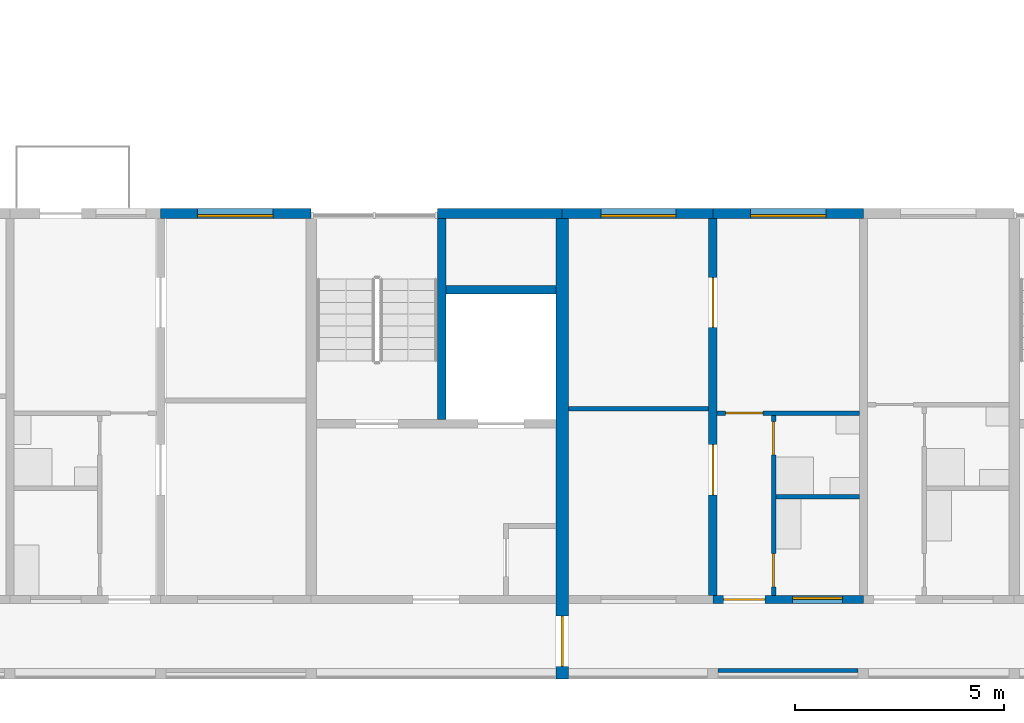
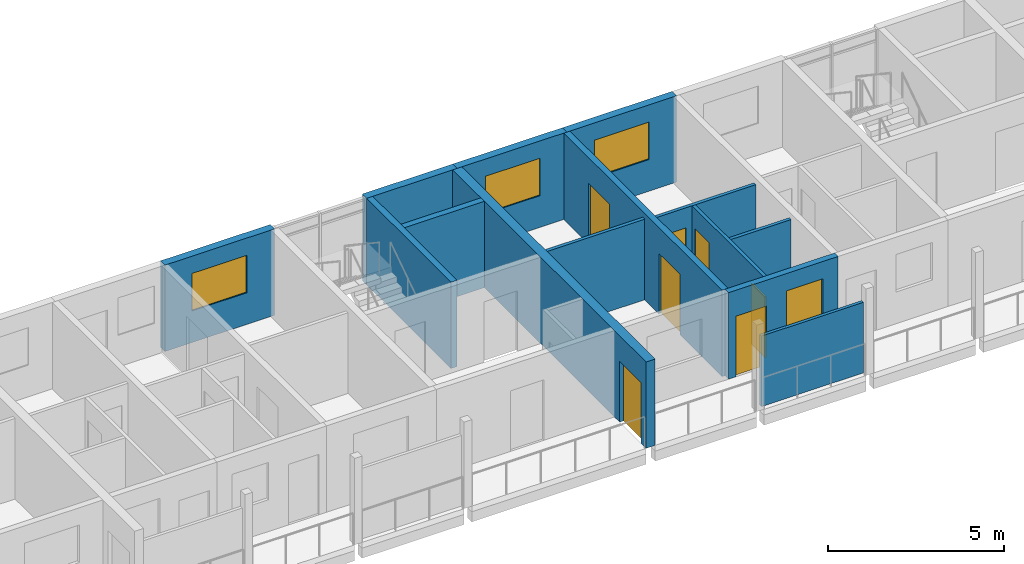
# One storey, part 48 of 93: 14 walls, 7 doors, 4 windows, 11 openings.
"""IFC4 building model written with IfcOpenShell, lengths in metres."""

from ifc_helpers import new_model, si_unit, direction, frame, frame_2d, origin, place, context, subcontext, project, spatial, rectangle, extrude, material, layer, layer_set, type_object, element, fill, save


model = new_model("IFC4")

# Units and contexts
model_context = context("Model", 3, precision=1e-05, world=origin(), true_north=direction((0.0, 1.0)))
body_context = subcontext(model_context, "Body", "Model", "MODEL_VIEW")
ifc_project = project(units=[si_unit("LENGTHUNIT", "METRE"), si_unit("AREAUNIT", "SQUARE_METRE"), si_unit("VOLUMEUNIT", "CUBIC_METRE"), si_unit("PLANEANGLEUNIT", "RADIAN"), si_unit("MASSUNIT", "GRAM", prefix="KILO")], contexts=[model_context])

# Site, building, storey
site_placement = place(None, origin())
site = spatial("IfcSite", under=ifc_project, at=site_placement, CompositionType="ELEMENT")
building_placement = place(site_placement, origin())
building = spatial("IfcBuilding", under=site, at=building_placement, Name="Ridgestep Commons", CompositionType="ELEMENT")
storey_placement = place(building_placement, frame((0.0, 0.0, 18.0)))
storey = spatial("IfcBuildingStorey", under=building, at=storey_placement, Name="L06", CompositionType="ELEMENT", Elevation=18.0)

# Walls
ifc_material_1 = material(Name="Concrete C30/37", Category="concrete")
ifc_layer_1 = layer(ifc_material_1, 0.199951171875)
ifc_layer_set_1 = layer_set([ifc_layer_1], Name="Core wall 200")
wall_type_1 = type_object("IfcWallType", Name="Core wall 200", PredefinedType="SHEAR", material=ifc_layer_set_1)
wall_1_placement = place(storey_placement, frame((194.324951171875, 17.949951171875, 0.0), z_axis=(0.0, 0.0, 1.0), x_axis=(0.0, 1.0, 0.0)))
element("IfcWall", 1, at=wall_1_placement, inside=storey, type_object=wall_type_1, Name="Core stair wall D3C L06", PredefinedType="SHEAR", context=body_context, shape_type="SweptSolid", body=[
    extrude(rectangle(XDim=4.800048828125, YDim=0.199951171875, at=frame_2d((2.39990234375, 0.0))), origin(), (0.0, 0.0, 1.0), 3.0),
])
wall_2_placement = place(storey_placement, frame((194.425048828125, 21.050048828125, 0.0), z_axis=(0.0, 0.0, 1.0), x_axis=(1.0, 0.0, 0.0)))
element("IfcWall", 2, at=wall_2_placement, inside=storey, type_object=wall_type_1, Name="Core duct wall D3C L06", PredefinedType="SHEAR", context=body_context, shape_type="SweptSolid", body=[
    extrude(rectangle(XDim=2.625, YDim=0.199951171875, at=frame_2d((1.3125, 0.0))), origin(), (0.0, 0.0, 1.0), 3.0),
])

# Wall, openings, doors
ifc_material_2 = material(Name="Precast concrete C40/50", Category="concrete")
ifc_layer_2 = layer(ifc_material_2, 0.199951171875)
ifc_layer_set_2 = layer_set([ifc_layer_2], Name="Cross wall 200")
wall_type_2 = type_object("IfcWallType", Name="Cross wall 200", PredefinedType="SHEAR", material=ifc_layer_set_2)
wall_3_placement = place(storey_placement, frame((200.800048828125, 13.75, 0.0), z_axis=(0.0, 0.0, 1.0), x_axis=(0.0, 1.0, 0.0)))
wall_3 = element("IfcWall", 3, at=wall_3_placement, inside=storey, type_object=wall_type_2, Name="Cross wall D-06-2008", PredefinedType="SHEAR", context=body_context, shape_type="SweptSolid", body=[
    extrude(rectangle(XDim=9.0, YDim=0.199951171875, at=frame_2d((4.5, 0.0))), origin(), (0.0, 0.0, 1.0), 3.0),
])
opening_1_placement = place(wall_3_placement, frame((2.39990234375, 0.0, 0.0)))
opening_1 = element("IfcOpeningElement", 4, at=opening_1_placement, cuts=wall_3, Name="Opening D4-06a/5", PredefinedType="OPENING", context=body_context, shape_type="SweptSolid", body=[
    extrude(rectangle(XDim=1.199951171875, YDim=2.10009765625, at=frame_2d((0.60009765625, 1.050048828125))), frame((0.0, 0.10986328125, 0.0), z_axis=(0.0, -1.0, 0.0), x_axis=(1.0, 0.0, 0.0)), (0.0, 0.0, 1.0), 0.219970703125),
])
opening_2_placement = place(wall_3_placement, frame((6.39990234375, 0.0, 0.0)))
opening_2 = element("IfcOpeningElement", 5, at=opening_2_placement, cuts=wall_3, Name="Opening D4-06a/6", PredefinedType="OPENING", context=body_context, shape_type="SweptSolid", body=[
    extrude(rectangle(XDim=1.199951171875, YDim=2.10009765625, at=frame_2d((0.60009765625, 1.050048828125))), frame((0.0, 0.10986328125, 0.0), z_axis=(0.0, -1.0, 0.0), x_axis=(1.0, 0.0, 0.0)), (0.0, 0.0, 1.0), 0.219970703125),
])
ifc_material_3 = material(Name="Timber door leaf", Category="wood")
door_type_1 = type_object("IfcDoorType", Name="Double door 1200 x 2100", OperationType="DOUBLE_DOOR_SINGLE_SWING", PredefinedType="DOOR", material=ifc_material_3)
door_1_placement = place(opening_1_placement, origin())
door_1 = element("IfcDoor", 6, at=door_1_placement, inside=storey, type_object=door_type_1, Name="Double door D4-06a/5", OperationType="DOUBLE_DOOR_SINGLE_SWING", OverallHeight=2.10009765625, OverallWidth=1.199951171875, PredefinedType="DOOR", context=body_context, shape_type="SweptSolid", body=[
    extrude(rectangle(XDim=1.199951171875, YDim=2.10009765625, at=frame_2d((0.60009765625, 1.050048828125))), frame((0.0, 0.02490234375, 0.0), z_axis=(0.0, -1.0, 0.0), x_axis=(1.0, 0.0, 0.0)), (0.0, 0.0, 1.0), 0.050048828125),
])
fill(opening_1, door_1)
door_2_placement = place(opening_2_placement, origin())
door_2 = element("IfcDoor", 7, at=door_2_placement, inside=storey, type_object=door_type_1, Name="Double door D4-06a/6", OperationType="DOUBLE_DOOR_SINGLE_SWING", OverallHeight=2.10009765625, OverallWidth=1.199951171875, PredefinedType="DOOR", context=body_context, shape_type="SweptSolid", body=[
    extrude(rectangle(XDim=1.199951171875, YDim=2.10009765625, at=frame_2d((0.60009765625, 1.050048828125))), frame((0.0, 0.02490234375, 0.0), z_axis=(0.0, -1.0, 0.0), x_axis=(1.0, 0.0, 0.0)), (0.0, 0.0, 1.0), 0.050048828125),
])
fill(opening_2, door_2)

# Wall, opening, door
ifc_material_4 = material(Name="Precast concrete C40/50", Category="concrete")
ifc_layer_3 = layer(ifc_material_4, 0.300048828125)
ifc_layer_set_3 = layer_set([ifc_layer_3], Name="Division wall 300")
wall_type_3 = type_object("IfcWallType", Name="Division wall 300", PredefinedType="SHEAR", material=ifc_layer_set_3)
wall_4_placement = place(storey_placement, frame((197.199951171875, 11.75, 0.0), z_axis=(0.0, 0.0, 1.0), x_axis=(0.0, 1.0, 0.0)))
wall_4 = element("IfcWall", 8, at=wall_4_placement, inside=storey, type_object=wall_type_3, Name="Cross wall D-06-1972", PredefinedType="SHEAR", context=body_context, shape_type="SweptSolid", body=[
    extrude(rectangle(XDim=11.0, YDim=0.300048828125, at=frame_2d((5.5, 0.0))), origin(), (0.0, 0.0, 1.0), 3.0),
])
opening_3_placement = place(wall_4_placement, frame((0.300048828125, 0.0, 0.0)))
opening_3 = element("IfcOpeningElement", 9, at=opening_3_placement, cuts=wall_4, Name="Opening D/06/G1972", PredefinedType="OPENING", context=body_context, shape_type="SweptSolid", body=[
    extrude(rectangle(XDim=1.199951171875, YDim=2.10009765625, at=frame_2d((0.60009765625, 1.050048828125))), frame((0.0, 0.159912109375, 0.0), z_axis=(0.0, -1.0, 0.0), x_axis=(1.0, 0.0, 0.0)), (0.0, 0.0, 1.0), 0.320068359375),
])
ifc_material_5 = material(Name="Steel fire door", Category="steel")
door_type_2 = type_object("IfcDoorType", Name="Division fire door 1200 x 2100 EI 240", OperationType="DOUBLE_DOOR_SINGLE_SWING", PredefinedType="DOOR", material=ifc_material_5)
door_3_placement = place(opening_3_placement, origin())
door_3 = element("IfcDoor", 10, at=door_3_placement, inside=storey, type_object=door_type_2, Name="Division fire door D/06/G1972", OperationType="DOUBLE_DOOR_SINGLE_SWING", OverallHeight=2.10009765625, OverallWidth=1.199951171875, PredefinedType="DOOR", context=body_context, shape_type="SweptSolid", body=[
    extrude(rectangle(XDim=1.199951171875, YDim=2.10009765625, at=frame_2d((0.60009765625, 1.050048828125))), frame((0.0, 0.02490234375, 0.0), z_axis=(0.0, -1.0, 0.0), x_axis=(1.0, 0.0, 0.0)), (0.0, 0.0, 1.0), 0.050048828125),
])
fill(opening_3, door_3)

# Wall, opening, window
ifc_material_6 = material(Name="Precast concrete C40/50", Category="concrete")
ifc_layer_4 = layer(ifc_material_6, 0.25)
ifc_layer_set_4 = layer_set([ifc_layer_4], Name="North facade panel 250")
wall_type_4 = type_object("IfcWallType", Name="North facade panel 250", PredefinedType="SOLIDWALL", material=ifc_layer_set_4)
wall_5_placement = place(storey_placement, frame((187.60009765625, 22.875, 0.0), z_axis=(0.0, 0.0, 1.0), x_axis=(1.0, 0.0, 0.0)))
wall_5 = element("IfcWall", 11, at=wall_5_placement, inside=storey, type_object=wall_type_4, Name="North panel D3T3 L06", PredefinedType="SOLIDWALL", context=body_context, shape_type="SweptSolid", body=[
    extrude(rectangle(XDim=3.599853515625, YDim=0.25, at=frame_2d((1.7998046875, 0.0))), origin(), (0.0, 0.0, 1.0), 3.0),
])
opening_4_placement = place(wall_5_placement, frame((0.887451171875, 0.0, 1.10009765625)))
opening_4 = element("IfcOpeningElement", 12, at=opening_4_placement, cuts=wall_5, Name="Opening W18", PredefinedType="OPENING", context=body_context, shape_type="SweptSolid", body=[
    extrude(rectangle(XDim=1.800048828125, YDim=1.300048828125, at=frame_2d((0.89990234375, 0.64990234375))), frame((0.0, 0.135009765625, 0.0), z_axis=(0.0, -1.0, 0.0), x_axis=(1.0, 0.0, 0.0)), (0.0, 0.0, 1.0), 0.27001953125),
])
ifc_material_7 = material(Name="Aluminium 6063-T6 and glass", Category="aluminium")
window_type_1 = type_object("IfcWindowType", Name="Flat window 1800 x 1300", PartitioningType="DOUBLE_PANEL_VERTICAL", PredefinedType="WINDOW", material=ifc_material_7)
window_1_placement = place(opening_4_placement, origin())
window_1 = element("IfcWindow", 13, at=window_1_placement, inside=storey, type_object=window_type_1, Name="Window D3-06b 2", OverallHeight=1.300048828125, OverallWidth=1.800048828125, PartitioningType="SINGLE_PANEL", PredefinedType="WINDOW", context=body_context, shape_type="SweptSolid", body=[
    extrude(rectangle(XDim=1.800048828125, YDim=1.300048828125, at=frame_2d((0.89990234375, 0.64990234375))), frame((0.0, -0.02490234375, 0.0), z_axis=(0.0, -1.0, 0.0), x_axis=(1.0, 0.0, 0.0)), (0.0, 0.0, 1.0), 0.06005859375),
])
fill(opening_4, window_1)

# Wall
wall_6_placement = place(storey_placement, frame((194.22509765625, 22.875, 0.0), z_axis=(0.0, 0.0, 1.0), x_axis=(1.0, 0.0, 0.0)))
element("IfcWall", 14, at=wall_6_placement, inside=storey, type_object=wall_type_4, Name="North panel D3C L06", PredefinedType="SOLIDWALL", context=body_context, shape_type="SweptSolid", body=[
    extrude(rectangle(XDim=2.974853515625, YDim=0.25, at=frame_2d((1.4873046875, 0.0))), origin(), (0.0, 0.0, 1.0), 3.0),
])

# Wall, opening, window
wall_7_placement = place(storey_placement, frame((197.199951171875, 22.875, 0.0), z_axis=(0.0, 0.0, 1.0), x_axis=(1.0, 0.0, 0.0)))
wall_7 = element("IfcWall", 15, at=wall_7_placement, inside=storey, type_object=wall_type_4, Name="North panel D4T1 L06", PredefinedType="SOLIDWALL", context=body_context, shape_type="SweptSolid", body=[
    extrude(rectangle(XDim=3.60009765625, YDim=0.25, at=frame_2d((1.800048828125, 0.0))), origin(), (0.0, 0.0, 1.0), 3.0),
])
opening_5_placement = place(wall_7_placement, frame((0.925048828125, 0.0, 1.10009765625)))
opening_5 = element("IfcOpeningElement", 16, at=opening_5_placement, cuts=wall_7, Name="Opening W18", PredefinedType="OPENING", context=body_context, shape_type="SweptSolid", body=[
    extrude(rectangle(XDim=1.800048828125, YDim=1.300048828125, at=frame_2d((0.89990234375, 0.64990234375))), frame((0.0, 0.135009765625, 0.0), z_axis=(0.0, -1.0, 0.0), x_axis=(1.0, 0.0, 0.0)), (0.0, 0.0, 1.0), 0.27001953125),
])
window_2_placement = place(opening_5_placement, origin())
window_2 = element("IfcWindow", 17, at=window_2_placement, inside=storey, type_object=window_type_1, Name="Window D4-06a 2", OverallHeight=1.300048828125, OverallWidth=1.800048828125, PartitioningType="SINGLE_PANEL", PredefinedType="WINDOW", context=body_context, shape_type="SweptSolid", body=[
    extrude(rectangle(XDim=1.800048828125, YDim=1.300048828125, at=frame_2d((0.89990234375, 0.64990234375))), frame((0.0, -0.02490234375, 0.0), z_axis=(0.0, -1.0, 0.0), x_axis=(1.0, 0.0, 0.0)), (0.0, 0.0, 1.0), 0.06005859375),
])
fill(opening_5, window_2)

wall_8_placement = place(storey_placement, frame((200.800048828125, 22.875, 0.0), z_axis=(0.0, 0.0, 1.0), x_axis=(1.0, 0.0, 0.0)))
wall_8 = element("IfcWall", 18, at=wall_8_placement, inside=storey, type_object=wall_type_4, Name="North panel D4T2 L06", PredefinedType="SOLIDWALL", context=body_context, shape_type="SweptSolid", body=[
    extrude(rectangle(XDim=3.599853515625, YDim=0.25, at=frame_2d((1.7998046875, 0.0))), origin(), (0.0, 0.0, 1.0), 3.0),
])
opening_6_placement = place(wall_8_placement, frame((0.89990234375, 0.0, 1.10009765625)))
opening_6 = element("IfcOpeningElement", 19, at=opening_6_placement, cuts=wall_8, Name="Opening W18", PredefinedType="OPENING", context=body_context, shape_type="SweptSolid", body=[
    extrude(rectangle(XDim=1.800048828125, YDim=1.300048828125, at=frame_2d((0.89990234375, 0.64990234375))), frame((0.0, 0.135009765625, 0.0), z_axis=(0.0, -1.0, 0.0), x_axis=(1.0, 0.0, 0.0)), (0.0, 0.0, 1.0), 0.27001953125),
])
window_3_placement = place(opening_6_placement, origin())
window_3 = element("IfcWindow", 20, at=window_3_placement, inside=storey, type_object=window_type_1, Name="Window D4-06a 4", OverallHeight=1.300048828125, OverallWidth=1.800048828125, PartitioningType="SINGLE_PANEL", PredefinedType="WINDOW", context=body_context, shape_type="SweptSolid", body=[
    extrude(rectangle(XDim=1.800048828125, YDim=1.300048828125, at=frame_2d((0.89990234375, 0.64990234375))), frame((0.0, -0.02490234375, 0.0), z_axis=(0.0, -1.0, 0.0), x_axis=(1.0, 0.0, 0.0)), (0.0, 0.0, 1.0), 0.06005859375),
])
fill(opening_6, window_3)

# Wall, openings, doors
ifc_material_8 = material(Name="Common brick 110 mm", Category="masonry")
ifc_layer_5 = layer(ifc_material_8, 0.110107421875)
ifc_layer_set_5 = layer_set([ifc_layer_5], Name="Partition 110")
wall_type_5 = type_object("IfcWallType", Name="Partition 110", PredefinedType="PARTITIONING", material=ifc_layer_set_5)
wall_9_placement = place(storey_placement, frame((202.2548828125, 13.75, 0.0), z_axis=(0.0, 0.0, 1.0), x_axis=(0.0, 1.0, 0.0)))
wall_9 = element("IfcWall", 21, at=wall_9_placement, inside=storey, type_object=wall_type_5, Name="Partition D4-06a", PredefinedType="PARTITIONING", context=body_context, shape_type="SweptSolid", body=[
    extrude(rectangle(XDim=4.300048828125, YDim=0.110107421875, at=frame_2d((2.14990234375, 0.0))), origin(), (0.0, 0.0, 1.0), 2.800048828125),
])
opening_7_placement = place(wall_9_placement, frame((0.199951171875, 0.0, 0.0)))
opening_7 = element("IfcOpeningElement", 22, at=opening_7_placement, cuts=wall_9, Name="Opening D4-06a/2", PredefinedType="OPENING", context=body_context, shape_type="SweptSolid", body=[
    extrude(rectangle(XDim=0.800048828125, YDim=2.10009765625, at=frame_2d((0.39990234375, 1.050048828125))), frame((0.0, 0.06494140625, 0.0), z_axis=(0.0, -1.0, 0.0), x_axis=(1.0, 0.0, 0.0)), (0.0, 0.0, 1.0), 0.130126953125),
])
opening_8_placement = place(wall_9_placement, frame((3.35009765625, 0.0, 0.0)))
opening_8 = element("IfcOpeningElement", 23, at=opening_8_placement, cuts=wall_9, Name="Opening D4-06a/3", PredefinedType="OPENING", context=body_context, shape_type="SweptSolid", body=[
    extrude(rectangle(XDim=0.800048828125, YDim=2.10009765625, at=frame_2d((0.39990234375, 1.050048828125))), frame((0.0, 0.06494140625, 0.0), z_axis=(0.0, -1.0, 0.0), x_axis=(1.0, 0.0, 0.0)), (0.0, 0.0, 1.0), 0.130126953125),
])
ifc_material_9 = material(Name="Timber door leaf", Category="wood")
door_type_3 = type_object("IfcDoorType", Name="Internal door 800 x 2100", OperationType="NOTDEFINED", PredefinedType="DOOR", material=ifc_material_9)
door_4_placement = place(opening_7_placement, origin())
door_4 = element("IfcDoor", 24, at=door_4_placement, inside=storey, type_object=door_type_3, Name="Internal door D4-06a/2", OperationType="SINGLE_SWING_RIGHT", OverallHeight=2.10009765625, OverallWidth=0.800048828125, PredefinedType="DOOR", context=body_context, shape_type="SweptSolid", body=[
    extrude(rectangle(XDim=0.800048828125, YDim=2.10009765625, at=frame_2d((0.39990234375, 1.050048828125))), frame((0.0, 0.02490234375, 0.0), z_axis=(0.0, -1.0, 0.0), x_axis=(1.0, 0.0, 0.0)), (0.0, 0.0, 1.0), 0.050048828125),
])
fill(opening_7, door_4)
door_5_placement = place(opening_8_placement, origin())
door_5 = element("IfcDoor", 25, at=door_5_placement, inside=storey, type_object=door_type_3, Name="Internal door D4-06a/3", OperationType="SINGLE_SWING_LEFT", OverallHeight=2.10009765625, OverallWidth=0.800048828125, PredefinedType="DOOR", context=body_context, shape_type="SweptSolid", body=[
    extrude(rectangle(XDim=0.800048828125, YDim=2.10009765625, at=frame_2d((0.39990234375, 1.050048828125))), frame((0.0, 0.02490234375, 0.0), z_axis=(0.0, -1.0, 0.0), x_axis=(1.0, 0.0, 0.0)), (0.0, 0.0, 1.0), 0.050048828125),
])
fill(opening_8, door_5)

# Wall
wall_10_placement = place(storey_placement, frame((202.31005859375, 16.10498046875, 0.0), z_axis=(0.0, 0.0, 1.0), x_axis=(1.0, 0.0, 0.0)))
element("IfcWall", 26, at=wall_10_placement, inside=storey, type_object=wall_type_5, Name="Partition D4-06a", PredefinedType="PARTITIONING", context=body_context, shape_type="SweptSolid", body=[
    extrude(rectangle(XDim=1.989990234375, YDim=0.110107421875, at=frame_2d((0.9951171875, 0.0))), origin(), (0.0, 0.0, 1.0), 2.800048828125),
])

# Wall, opening, door
wall_11_placement = place(storey_placement, frame((200.89990234375, 18.10498046875, 0.0), z_axis=(0.0, 0.0, 1.0), x_axis=(1.0, 0.0, 0.0)))
wall_11 = element("IfcWall", 27, at=wall_11_placement, inside=storey, type_object=wall_type_5, Name="Partition D4-06a", PredefinedType="PARTITIONING", context=body_context, shape_type="SweptSolid", body=[
    extrude(rectangle(XDim=3.400146484375, YDim=0.110107421875, at=frame_2d((1.7001953125, 0.0))), origin(), (0.0, 0.0, 1.0), 2.800048828125),
])
opening_9_placement = place(wall_11_placement, frame((0.199951171875, 0.0, 0.0)))
opening_9 = element("IfcOpeningElement", 28, at=opening_9_placement, cuts=wall_11, Name="Opening D4-06a/4", PredefinedType="OPENING", context=body_context, shape_type="SweptSolid", body=[
    extrude(rectangle(XDim=0.89990234375, YDim=2.10009765625, at=frame_2d((0.449951171875, 1.050048828125))), frame((0.0, 0.06494140625, 0.0), z_axis=(0.0, -1.0, 0.0), x_axis=(1.0, 0.0, 0.0)), (0.0, 0.0, 1.0), 0.130126953125),
])
ifc_material_10 = material(Name="Timber door leaf", Category="wood")
door_type_4 = type_object("IfcDoorType", Name="Internal door 900 x 2100", OperationType="NOTDEFINED", PredefinedType="DOOR", material=ifc_material_10)
door_6_placement = place(opening_9_placement, origin())
door_6 = element("IfcDoor", 29, at=door_6_placement, inside=storey, type_object=door_type_4, Name="Internal door D4-06a/4", OperationType="SINGLE_SWING_LEFT", OverallHeight=2.10009765625, OverallWidth=0.89990234375, PredefinedType="DOOR", context=body_context, shape_type="SweptSolid", body=[
    extrude(rectangle(XDim=0.89990234375, YDim=2.10009765625, at=frame_2d((0.449951171875, 1.050048828125))), frame((0.0, 0.02490234375, 0.0), z_axis=(0.0, -1.0, 0.0), x_axis=(1.0, 0.0, 0.0)), (0.0, 0.0, 1.0), 0.050048828125),
])
fill(opening_9, door_6)

# Walls
wall_12_placement = place(storey_placement, frame((197.35009765625, 18.205078125, 0.0), z_axis=(0.0, 0.0, 1.0), x_axis=(1.0, 0.0, 0.0)))
element("IfcWall", 30, at=wall_12_placement, inside=storey, type_object=wall_type_5, Name="Partition D4-06a", PredefinedType="PARTITIONING", context=body_context, shape_type="SweptSolid", body=[
    extrude(rectangle(XDim=3.349853515625, YDim=0.110107421875, at=frame_2d((1.6748046875, 0.0))), origin(), (0.0, 0.0, 1.0), 2.800048828125),
])
ifc_material_11 = material(Name="Precast concrete C30/37", Category="concrete")
ifc_layer_6 = layer(ifc_material_11, 0.10009765625)
ifc_layer_set_6 = layer_set([ifc_layer_6], Name="Perforated gallery screen 3350 x 2450 x 100")
wall_type_6 = type_object("IfcWallType", Name="Perforated gallery screen 3350 x 2450 x 100", PredefinedType="SOLIDWALL", material=ifc_layer_set_6)
wall_13_placement = place(storey_placement, frame((200.925048828125, 11.949951171875, 0.0), z_axis=(0.0, 0.0, 1.0), x_axis=(1.0, 0.0, 0.0)))
element("IfcWall", 31, at=wall_13_placement, inside=storey, type_object=wall_type_6, Name="Gallery screen D4T2 06", PredefinedType="SOLIDWALL", context=body_context, shape_type="SweptSolid", body=[
    extrude(rectangle(XDim=3.349853515625, YDim=0.10009765625, at=frame_2d((1.6748046875, 0.0))), origin(), (0.0, 0.0, 1.0), 2.449951171875),
])

# Wall, openings, door, window
ifc_material_12 = material(Name="Precast concrete C40/50", Category="concrete")
ifc_layer_7 = layer(ifc_material_12, 0.199951171875)
ifc_layer_set_7 = layer_set([ifc_layer_7], Name="South facade panel 200")
wall_type_7 = type_object("IfcWallType", Name="South facade panel 200", PredefinedType="SOLIDWALL", material=ifc_layer_set_7)
wall_14_placement = place(storey_placement, frame((200.800048828125, 13.64990234375, 0.0), z_axis=(0.0, 0.0, 1.0), x_axis=(1.0, 0.0, 0.0)))
wall_14 = element("IfcWall", 32, at=wall_14_placement, inside=storey, type_object=wall_type_7, Name="South panel D4T2 L06", PredefinedType="SOLIDWALL", context=body_context, shape_type="SweptSolid", body=[
    extrude(rectangle(XDim=3.599853515625, YDim=0.199951171875, at=frame_2d((1.7998046875, 0.0))), origin(), (0.0, 0.0, 1.0), 3.0),
])
opening_10_placement = place(wall_14_placement, frame((1.905029296875, 0.0, 1.10009765625)))
opening_10 = element("IfcOpeningElement", 33, at=opening_10_placement, cuts=wall_14, Name="Opening W08", PredefinedType="OPENING", context=body_context, shape_type="SweptSolid", body=[
    extrude(rectangle(XDim=1.199951171875, YDim=1.300048828125, at=frame_2d((0.60009765625, 0.64990234375))), frame((0.0, 0.10986328125, 0.0), z_axis=(0.0, -1.0, 0.0), x_axis=(1.0, 0.0, 0.0)), (0.0, 0.0, 1.0), 0.219970703125),
])
opening_11_placement = place(wall_14_placement, frame((0.25, 0.0, 0.0)))
opening_11 = element("IfcOpeningElement", 34, at=opening_11_placement, cuts=wall_14, Name="Opening D4-06a/1", PredefinedType="OPENING", context=body_context, shape_type="SweptSolid", body=[
    extrude(rectangle(XDim=1.0, YDim=2.10009765625, at=frame_2d((0.5, 1.050048828125))), frame((0.0, 0.10986328125, 0.0), z_axis=(0.0, -1.0, 0.0), x_axis=(1.0, 0.0, 0.0)), (0.0, 0.0, 1.0), 0.219970703125),
])
ifc_material_13 = material(Name="Timber door leaf", Category="wood")
door_type_5 = type_object("IfcDoorType", Name="Flat entrance door 1000 x 2100 FD30S", OperationType="NOTDEFINED", PredefinedType="DOOR", material=ifc_material_13)
door_7_placement = place(opening_11_placement, origin())
door_7 = element("IfcDoor", 35, at=door_7_placement, inside=storey, type_object=door_type_5, Name="Flat entrance door D4-06a/1", OperationType="SINGLE_SWING_LEFT", OverallHeight=2.10009765625, OverallWidth=1.0, PredefinedType="DOOR", context=body_context, shape_type="SweptSolid", body=[
    extrude(rectangle(XDim=1.0, YDim=2.10009765625, at=frame_2d((0.5, 1.050048828125))), frame((0.0, 0.02490234375, 0.0), z_axis=(0.0, -1.0, 0.0), x_axis=(1.0, 0.0, 0.0)), (0.0, 0.0, 1.0), 0.050048828125),
])
fill(opening_11, door_7)
ifc_material_14 = material(Name="Aluminium 6063-T6 and glass", Category="aluminium")
window_type_2 = type_object("IfcWindowType", Name="Flat window 1200 x 1300", PartitioningType="SINGLE_PANEL", PredefinedType="WINDOW", material=ifc_material_14)
window_4_placement = place(opening_10_placement, origin())
window_4 = element("IfcWindow", 36, at=window_4_placement, inside=storey, type_object=window_type_2, Name="Window D4-06a 3", OverallHeight=1.300048828125, OverallWidth=1.199951171875, PartitioningType="SINGLE_PANEL", PredefinedType="WINDOW", context=body_context, shape_type="SweptSolid", body=[
    extrude(rectangle(XDim=1.199951171875, YDim=1.300048828125, at=frame_2d((0.60009765625, 0.64990234375))), frame((0.0, 0.06005859375, 0.0), z_axis=(0.0, -1.0, 0.0), x_axis=(1.0, 0.0, 0.0)), (0.0, 0.0, 1.0), 0.06005859375),
])
fill(opening_10, window_4)

save(model, "model.ifc")
